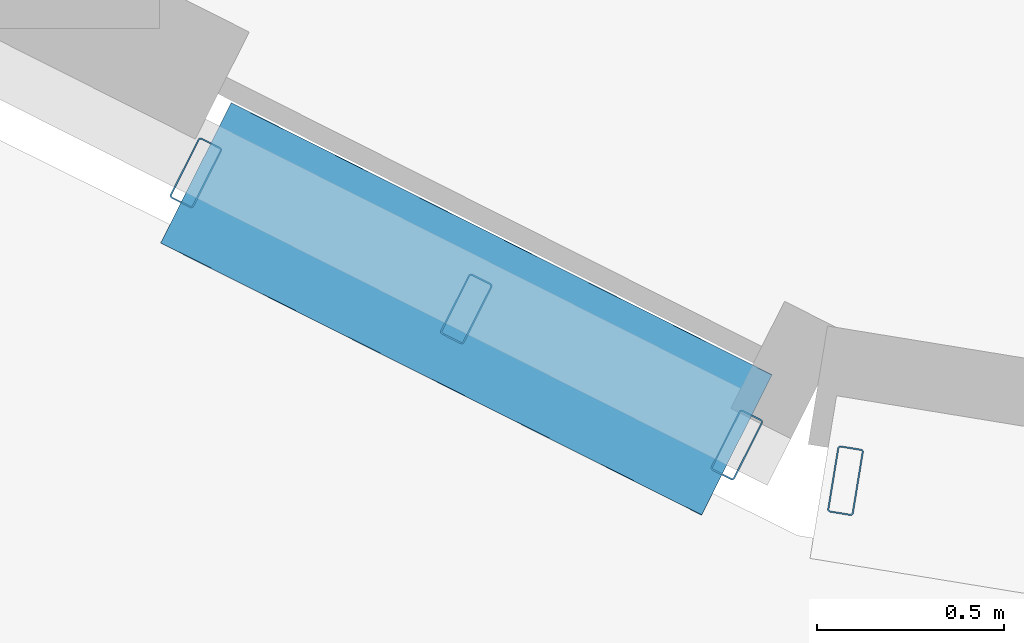
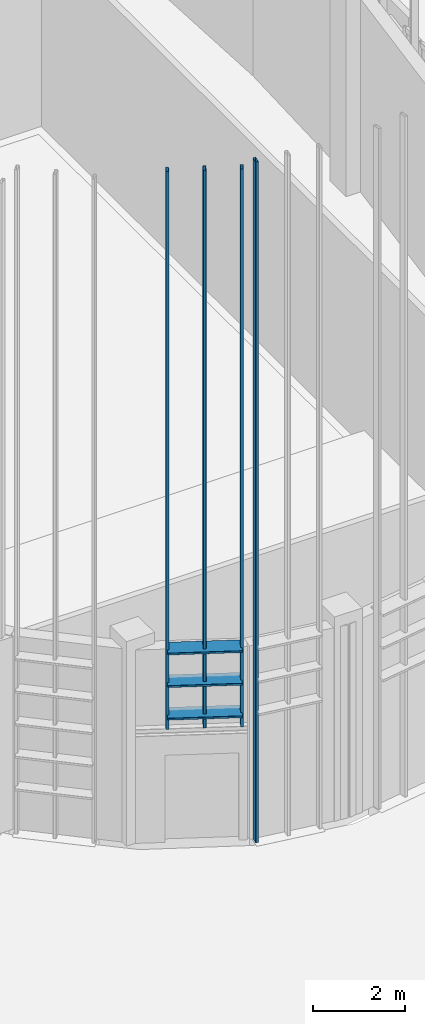
# One storey, part 252 of 372: 7 members.
"""IFC4 building model written with IfcOpenShell, lengths in metres."""

from ifc_helpers import new_model, si_unit, direction, frame, origin, origin_2d, place, context, subcontext, project, spatial, hollow_rectangle, extrude, material, material_profile, profile_set, type_object, element, save


model = new_model("IFC4")

# Units and contexts
model_context = context("Model", 3, precision=1e-05, world=origin(), true_north=direction((0.0, 1.0)))
body_context = subcontext(model_context, "Body", "Model", "MODEL_VIEW")
ifc_project = project(units=[si_unit("LENGTHUNIT", "METRE"), si_unit("AREAUNIT", "SQUARE_METRE"), si_unit("VOLUMEUNIT", "CUBIC_METRE"), si_unit("PLANEANGLEUNIT", "RADIAN"), si_unit("MASSUNIT", "GRAM", prefix="KILO")], contexts=[model_context])

# Site, building, storey
site_placement = place(None, origin())
site = spatial("IfcSite", under=ifc_project, at=site_placement, CompositionType="ELEMENT")
building_placement = place(site_placement, origin())
building = spatial("IfcBuilding", under=site, at=building_placement, Name="Kaelora Sail Theatre", CompositionType="ELEMENT")
storey_placement = place(building_placement, origin())
storey = spatial("IfcBuildingStorey", under=building, at=storey_placement, Name="L00", CompositionType="ELEMENT", Elevation=0.0)

# Members
ifc_material_1 = material(Name="Anodised aluminium 6063-T6", Category="aluminium")
ifc_material_profile_1 = material_profile(ifc_material_1, hollow_rectangle(XDim=0.419921875, YDim=0.054931640625, WallThickness=0.00390625, InnerFilletRadius=0.00390625, OuterFilletRadius=0.008056640625, at=origin_2d()), Name="LOUVRE 420x55x4")
ifc_profile_set_1 = profile_set([ifc_material_profile_1], Name="Anodised aluminium 6063-T6")
member_type_1 = type_object("IfcMemberType", Name="ARC-MEM-LVR-420", PredefinedType="USERDEFINED", material=ifc_profile_set_1)
for number, where, z_axis, x_axis, name in (
    (1, (132.685546875, 24.026611328125, 3.449951171875), (-0.893367810651, 0.449326111965, 0.0), (-0.449326111965, -0.893367810651, 0.0), "Black-Box and Experimental Sail Wing horizontal solar louvre C12-01"),
    (2, (132.685546875, 24.026611328125, 4.31005859375), (-0.893367810651, 0.449326111965, 0.0), (-0.449326111965, -0.893367810651, 0.0), "Black-Box and Experimental Sail Wing horizontal solar louvre C12-02"),
    (3, (132.685546875, 24.026611328125, 5.169921875), (-0.893367810651, 0.449326111965, 0.0), (-0.449326111965, -0.893367810651, 0.0), "Black-Box and Experimental Sail Wing horizontal solar louvre C12-03"),
):
    element("IfcMember", number, at=place(storey_placement, frame(where, z_axis=z_axis, x_axis=x_axis)), inside=storey, type_object=member_type_1, Name=name, ObjectType="LOUVRE", PredefinedType="USERDEFINED", context=body_context, shape_type="SweptSolid", body=[
        extrude(hollow_rectangle(XDim=0.419921875, YDim=0.054931640625, WallThickness=0.00390625, InnerFilletRadius=0.00390625, OuterFilletRadius=0.008056640625, at=origin_2d()), origin(), (0.0, 0.0, 1.0), 1.616943359375),
    ])
ifc_material_2 = material(Name="Anodised aluminium 6063-T6", Category="aluminium")
ifc_material_profile_2 = material_profile(ifc_material_2, hollow_rectangle(XDim=0.070068359375, YDim=0.179931640625, WallThickness=0.00390625, InnerFilletRadius=0.00390625, OuterFilletRadius=0.008056640625, at=origin_2d()), Name="ALU-MULL 70x180x4")
ifc_profile_set_2 = profile_set([ifc_material_profile_2], Name="Anodised aluminium 6063-T6")
member_type_2 = type_object("IfcMemberType", Name="ARC-MEM-PST-160", PredefinedType="POST", material=ifc_profile_set_2)
member_placement = place(storey_placement, frame((132.9755859375, 23.93115234375, 0.0), z_axis=(0.0, 0.0, 1.0), x_axis=(-0.986968296657, 0.160914826518, 0.0)))
element("IfcMember", 4, at=member_placement, inside=storey, type_object=member_type_2, Name="Black-Box and Experimental Sail Wing solar louvre vertical support post C11-3", PredefinedType="POST", context=body_context, shape_type="SweptSolid", body=[
    extrude(hollow_rectangle(XDim=0.070068359375, YDim=0.179931640625, WallThickness=0.00390625, InnerFilletRadius=0.00390625, OuterFilletRadius=0.008056640625, at=origin_2d()), origin(), (0.0, 0.0, 1.0), 17.973388671875),
])
for number, where, z_axis, x_axis, name in (
    (5, (132.685546875, 24.026611328125, 3.10009765625), (0.0, 0.0, 1.0), (-0.893371388328, 0.449318998616, 0.0), "Black-Box and Experimental Sail Wing solar louvre vertical support post C12-1"),
    (6, (131.963134765625, 24.389892578125, 3.10009765625), (0.0, 0.0, 1.0), (-0.893371388328, 0.449318998616, 0.0), "Black-Box and Experimental Sail Wing solar louvre vertical support post C12-2"),
    (7, (131.240966796875, 24.753173828125, 3.10009765625), (0.0, 0.0, 1.0), (-0.893371388328, 0.449318998616, 0.0), "Black-Box and Experimental Sail Wing solar louvre vertical support post C12-3"),
):
    element("IfcMember", number, at=place(storey_placement, frame(where, z_axis=z_axis, x_axis=x_axis)), inside=storey, type_object=member_type_2, Name=name, PredefinedType="POST", context=body_context, shape_type="SweptSolid", body=[
        extrude(hollow_rectangle(XDim=0.070068359375, YDim=0.179931640625, WallThickness=0.00390625, InnerFilletRadius=0.00390625, OuterFilletRadius=0.008056640625, at=origin_2d()), origin(), (0.0, 0.0, 1.0), 14.72802734375),
    ])

save(model, "model.ifc")
